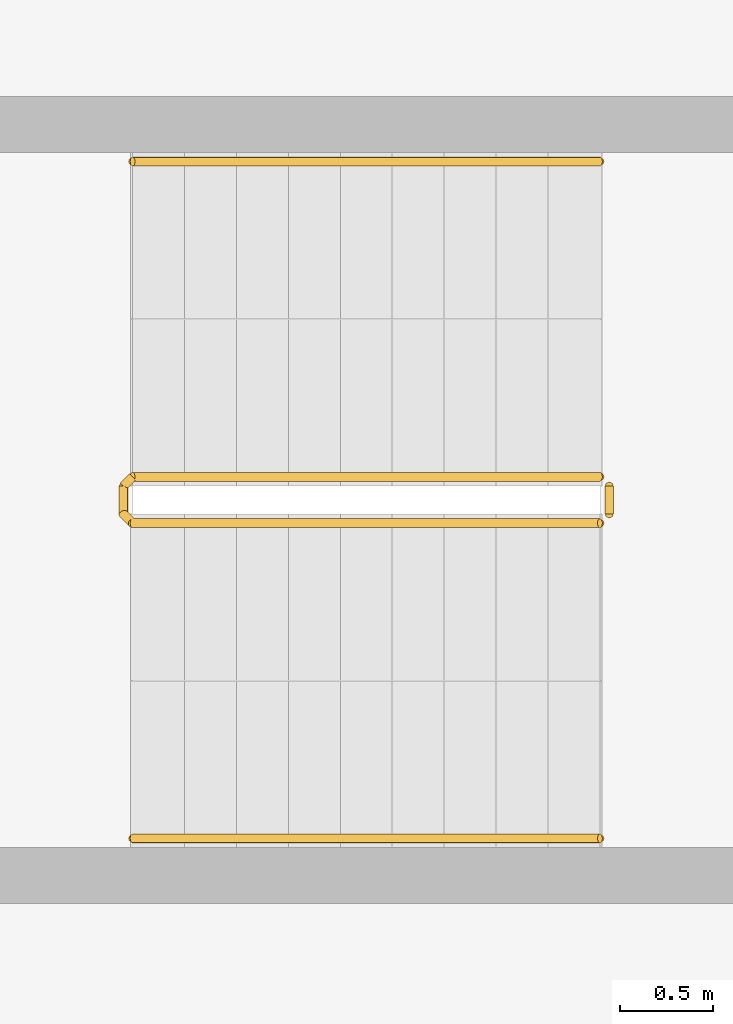
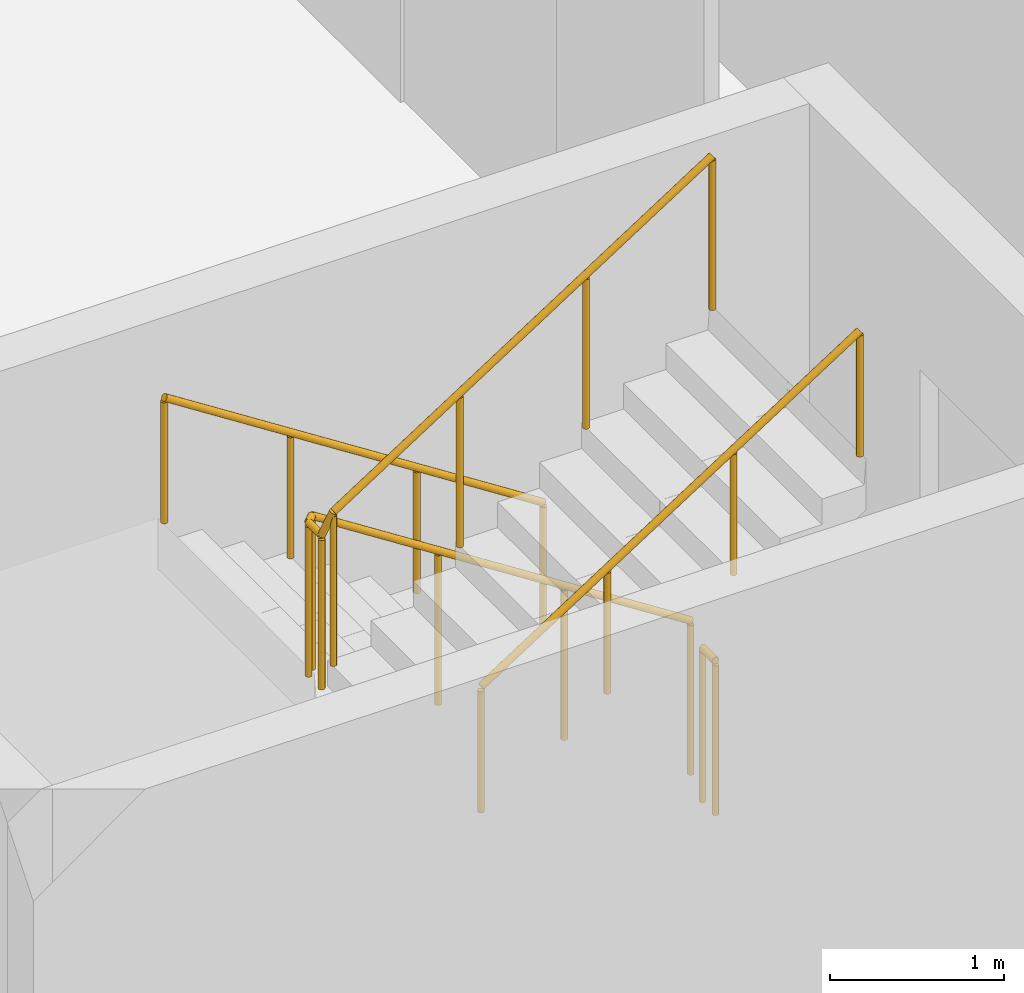
# One storey, part 24 of 27: 4 railings.
"""IFC4 building model written with IfcOpenShell, lengths in metres."""

from ifc_helpers import new_model, si_unit, direction, frame, origin, origin_2d, place, context, subcontext, project, spatial, circle, extrude, material, type_object, element, save


model = new_model("IFC4")

# Units and contexts
model_context = context("Model", 3, precision=1e-05, world=origin(), true_north=direction((0.0, 1.0)))
body_context = subcontext(model_context, "Body", "Model", "MODEL_VIEW")
ifc_project = project(units=[si_unit("LENGTHUNIT", "METRE"), si_unit("AREAUNIT", "SQUARE_METRE"), si_unit("VOLUMEUNIT", "CUBIC_METRE"), si_unit("PLANEANGLEUNIT", "RADIAN"), si_unit("MASSUNIT", "GRAM", prefix="KILO")], contexts=[model_context])

# Site, building, storey
site_placement = place(None, origin())
site = spatial("IfcSite", under=ifc_project, at=site_placement, CompositionType="ELEMENT")
building_placement = place(site_placement, origin())
building = spatial("IfcBuilding", under=site, at=building_placement, Name="Wharfspan Tower", CompositionType="ELEMENT")
storey_placement = place(building_placement, frame((0.0, 0.0, 77.5)))
storey = spatial("IfcBuildingStorey", under=building, at=storey_placement, Name="L16", CompositionType="ELEMENT", Elevation=77.5)

# Railings
ifc_material = material(Name="Steel S355J2", Category="steel")
railing_type_1 = type_object("IfcRailingType", Name="Stair guard 1100", PredefinedType="GUARDRAIL", material=ifc_material)
railing_1_placement = place(storey_placement, frame((6.899902, 22.625, 0.179932)))
element("IfcRailing", 1, at=railing_1_placement, inside=storey, type_object=railing_type_1, Name="L16 ST3 stair guard 1", PredefinedType="GUARDRAIL", context=body_context, shape_type="SweptSolid", body=[
    extrude(circle(Radius=0.023926, at=origin_2d()), frame((0.0, 0.0, 1.076172), z_axis=(-0.841163, 0.0, 0.540782), x_axis=(0.0, -1.0, 0.0)), (0.0, 0.0, 1.0), 2.99585),
    extrude(circle(Radius=0.023926, at=origin_2d()), frame((-2.52002, 0.0, 2.696289), z_axis=(-0.705376, -0.708834, 0.0), x_axis=(0.708834, -0.705376, 0.0)), (0.0, 0.0, 1.0), 0.070557),
    extrude(circle(Radius=0.023926, at=origin_2d()), frame((-2.569824, -0.050049, 2.696289), z_axis=(0.0, -1.0, 0.0), x_axis=(1.0, 0.0, 0.0)), (0.0, 0.0, 1.0), 0.149902),
    extrude(circle(Radius=0.023926, at=origin_2d()), frame((-2.569824, -0.199951, 2.696289), z_axis=(0.257669, -0.258932, 0.930892), x_axis=(0.708833, 0.705372, -1e-06)), (0.0, 0.0, 1.0), 0.193359),
    extrude(circle(Radius=0.023926, at=origin_2d()), frame((-2.52002, -0.25, 2.875977), z_axis=(0.841163, 0.0, 0.540782), x_axis=(0.0, 1.0, 0.0)), (0.0, 0.0, 1.0), 2.99585),
    extrude(circle(Radius=0.020996, at=origin_2d()), origin(), (0.0, 0.0, 1.0), 1.052002),
    extrude(circle(Radius=0.020996, at=origin_2d()), frame((-0.840088, 0.0, 0.540039)), (0.0, 0.0, 1.0), 1.052002),
    extrude(circle(Radius=0.020996, at=origin_2d()), frame((-1.679932, 0.0, 1.080078)), (0.0, 0.0, 1.0), 1.052002),
    extrude(circle(Radius=0.020996, at=origin_2d()), frame((-2.52002, 0.0, 1.620117)), (0.0, 0.0, 1.0), 1.052002),
    extrude(circle(Radius=0.020996, at=origin_2d()), frame((-2.569824, -0.050049, 1.620117)), (0.0, 0.0, 1.0), 1.052002),
    extrude(circle(Radius=0.020996, at=origin_2d()), frame((-2.569824, -0.199951, 1.620117)), (0.0, 0.0, 1.0), 1.052002),
    extrude(circle(Radius=0.020996, at=origin_2d()), frame((-2.52002, -0.25, 1.800049)), (0.0, 0.0, 1.0), 1.052002),
    extrude(circle(Radius=0.020996, at=origin_2d()), frame((-1.679932, -0.25, 2.340088)), (0.0, 0.0, 1.0), 1.052002),
    extrude(circle(Radius=0.020996, at=origin_2d()), frame((-0.840088, -0.25, 2.880127)), (0.0, 0.0, 1.0), 1.052002),
    extrude(circle(Radius=0.020996, at=origin_2d()), frame((0.0, -0.25, 3.420166)), (0.0, 0.0, 1.0), 1.052002),
])
railing_2_placement = place(storey_placement, frame((6.949951, 22.574951, 0.0)))
element("IfcRailing", 2, at=railing_2_placement, inside=storey, type_object=railing_type_1, Name="L16 ST3 stair guard 2", PredefinedType="GUARDRAIL", context=body_context, shape_type="SweptSolid", body=[
    extrude(circle(Radius=0.023926, at=origin_2d()), frame((0.0, 0.0, 1.076172), z_axis=(0.0, -1.0, 0.0), x_axis=(1.0, 0.0, 0.0)), (0.0, 0.0, 1.0), 0.149902),
    extrude(circle(Radius=0.020996, at=origin_2d()), origin(), (0.0, 0.0, 1.0), 1.052002),
    extrude(circle(Radius=0.020996, at=origin_2d()), frame((0.0, -0.149902, 0.0)), (0.0, 0.0, 1.0), 1.052002),
])
railing_type_2 = type_object("IfcRailingType", Name="Stair handrail 900", PredefinedType="HANDRAIL", material=ifc_material)
railing_3_placement = place(storey_placement, frame((6.899902, 24.324951, 0.179932)))
element("IfcRailing", 3, at=railing_3_placement, inside=storey, type_object=railing_type_2, Name="L16 ST3 stair handrail 1", PredefinedType="HANDRAIL", context=body_context, shape_type="SweptSolid", body=[
    extrude(circle(Radius=0.023926, at=origin_2d()), frame((0.0, 0.0, 0.875977), z_axis=(-0.841163, 0.0, 0.540782), x_axis=(0.0, -1.0, 0.0)), (0.0, 0.0, 1.0), 2.99585),
    extrude(circle(Radius=0.020996, at=origin_2d()), origin(), (0.0, 0.0, 1.0), 0.851807),
    extrude(circle(Radius=0.020996, at=origin_2d()), frame((-0.840088, 0.0, 0.540039)), (0.0, 0.0, 1.0), 0.851807),
    extrude(circle(Radius=0.020996, at=origin_2d()), frame((-1.679932, 0.0, 1.080078)), (0.0, 0.0, 1.0), 0.851807),
    extrude(circle(Radius=0.020996, at=origin_2d()), frame((-2.52002, 0.0, 1.620117)), (0.0, 0.0, 1.0), 0.851807),
])
railing_4_placement = place(storey_placement, frame((4.379883, 20.675049, 1.97998)))
element("IfcRailing", 4, at=railing_4_placement, inside=storey, type_object=railing_type_2, Name="L16 ST3 stair handrail 2", PredefinedType="HANDRAIL", context=body_context, shape_type="SweptSolid", body=[
    extrude(circle(Radius=0.023926, at=origin_2d()), frame((0.0, 0.0, 0.875977), z_axis=(0.841163, 0.0, 0.540782), x_axis=(0.0, 1.0, 0.0)), (0.0, 0.0, 1.0), 2.99585),
    extrude(circle(Radius=0.020996, at=origin_2d()), origin(), (0.0, 0.0, 1.0), 0.851807),
    extrude(circle(Radius=0.020996, at=origin_2d()), frame((0.840088, 0.0, 0.540039)), (0.0, 0.0, 1.0), 0.851807),
    extrude(circle(Radius=0.020996, at=origin_2d()), frame((1.679932, 0.0, 1.080078)), (0.0, 0.0, 1.0), 0.851807),
    extrude(circle(Radius=0.020996, at=origin_2d()), frame((2.52002, 0.0, 1.620117)), (0.0, 0.0, 1.0), 0.851807),
])

save(model, "model.ifc")
